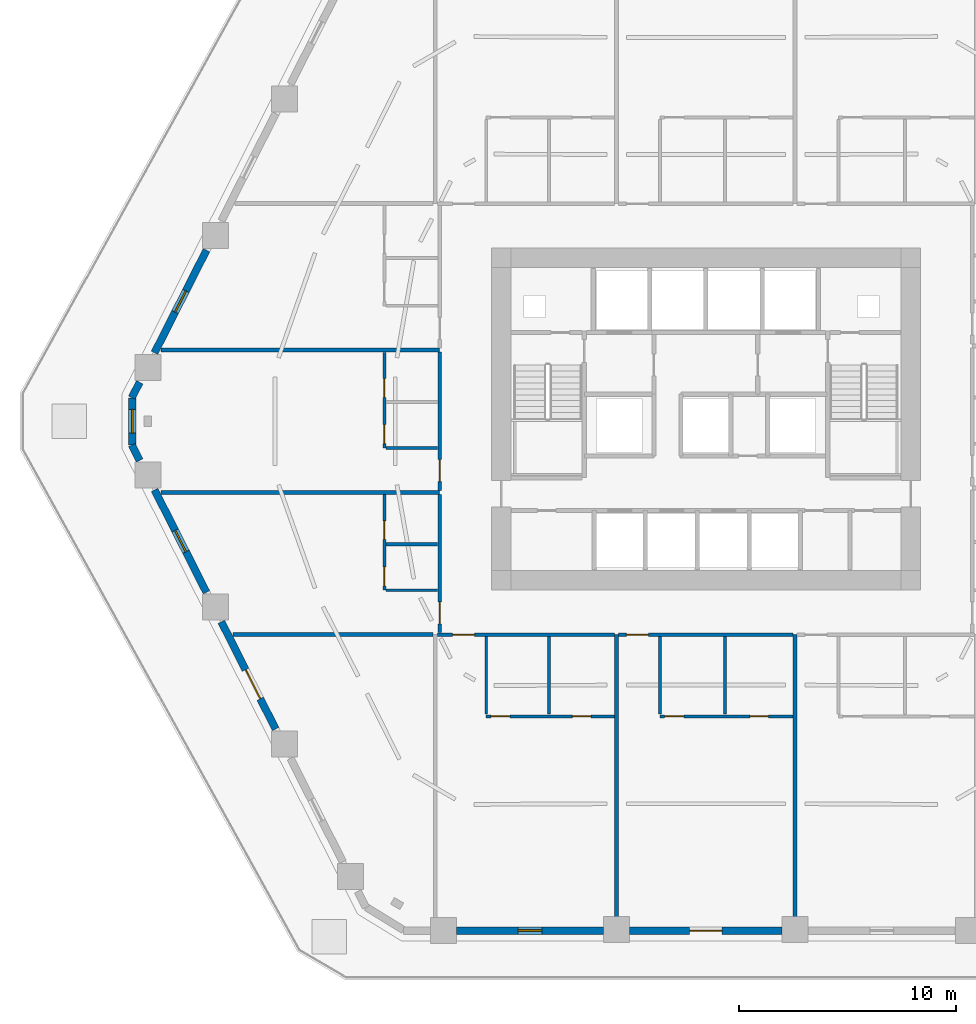
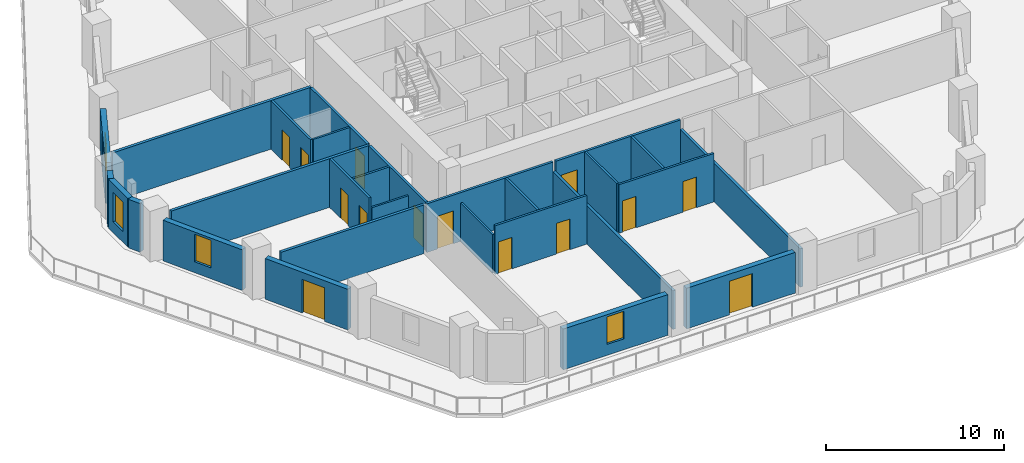
# One storey, part 3 of 10: 28 walls, 14 doors, 4 windows, 18 openings.
"""IFC4 building model written with IfcOpenShell, lengths in metres."""

from ifc_helpers import new_model, si_unit, direction, frame, frame_2d, origin, place, context, subcontext, project, spatial, rectangle, extrude, material, layer, layer_set, type_object, element, fill, save


model = new_model("IFC4")

# Units and contexts
model_context = context("Model", 3, precision=1e-05, world=origin(), true_north=direction((0.0, 1.0)))
body_context = subcontext(model_context, "Body", "Model", "MODEL_VIEW")
ifc_project = project(units=[si_unit("LENGTHUNIT", "METRE"), si_unit("AREAUNIT", "SQUARE_METRE"), si_unit("VOLUMEUNIT", "CUBIC_METRE"), si_unit("PLANEANGLEUNIT", "RADIAN"), si_unit("MASSUNIT", "GRAM", prefix="KILO")], contexts=[model_context])

# Site, building, storey
site_placement = place(None, origin())
site = spatial("IfcSite", under=ifc_project, at=site_placement, CompositionType="ELEMENT")
building_placement = place(site_placement, origin())
building = spatial("IfcBuilding", under=site, at=building_placement, Name="Cinnabar Lancet Tower", CompositionType="ELEMENT")
storey_placement = place(building_placement, frame((0.0, 0.0, 24.89990234375)))
storey = spatial("IfcBuildingStorey", under=building, at=storey_placement, Name="L05", CompositionType="ELEMENT", Elevation=24.89990234375)

# Wall, opening, door
ifc_material_1 = material(Name="Acoustic twin-stud gypsum partition", Category="gypsum")
ifc_layer_1 = layer(ifc_material_1, 0.159912109375)
ifc_layer_set_1 = layer_set([ifc_layer_1], Name="Acoustic twin-stud gypsum partition")
wall_type_1 = type_object("IfcWallType", Name="ARC-WL-CORR-160", PredefinedType="PARTITIONING", material=ifc_layer_set_1)
wall_1_placement = place(storey_placement, frame((19.9951171875, 15.949951171875, 0.0), z_axis=(0.0, 0.0, 1.0), x_axis=(1.0, 0.0, 0.0)))
wall_1 = element("IfcWall", 1, at=wall_1_placement, inside=storey, type_object=wall_type_1, Name="L05 Unit S01 Corridor Wall", PredefinedType="PARTITIONING", context=body_context, shape_type="SweptSolid", body=[
    extrude(rectangle(XDim=8.18798828125, YDim=0.159912109375, at=frame_2d((4.093994140625, 0.0))), origin(), (0.0, 0.0, 1.0), 3.330078125),
])
opening_1_placement = place(wall_1_placement, frame((0.705078125, 0.0, 0.0)))
opening_1 = element("IfcOpeningElement", 2, at=opening_1_placement, cuts=wall_1, Name="Opening UD-01", PredefinedType="OPENING", context=body_context, shape_type="SweptSolid", body=[
    extrude(rectangle(XDim=1.02001953125, YDim=2.25, at=frame_2d((0.510009765625, 1.125))), frame((0.0, 0.08984375, 0.0), z_axis=(0.0, -1.0, 0.0), x_axis=(1.0, 0.0, 0.0)), (0.0, 0.0, 1.0), 0.179931640625),
])
ifc_material_2 = material(Name="Solid timber fire-rated apartment entrance door", Category="wood")
door_type_1 = type_object("IfcDoorType", Name="ARC-DR-UNIT", OperationType="NOTDEFINED", PredefinedType="DOOR", material=ifc_material_2)
door_1_placement = place(opening_1_placement, origin())
door_1 = element("IfcDoor", 3, at=door_1_placement, inside=storey, type_object=door_type_1, Name="DR-L05-S01-ENT", OperationType="SINGLE_SWING_LEFT", OverallHeight=2.25, OverallWidth=1.02001953125, PredefinedType="DOOR", context=body_context, shape_type="SweptSolid", body=[
    extrude(rectangle(XDim=1.02001953125, YDim=2.25, at=frame_2d((0.510009765625, 1.125))), frame((0.0, 0.02490234375, 0.0), z_axis=(0.0, -1.0, 0.0), x_axis=(1.0, 0.0, 0.0)), (0.0, 0.0, 1.0), 0.050048828125),
])
fill(opening_1, door_1)

wall_2_placement = place(storey_placement, frame((28.373046875, 15.949951171875, 0.0), z_axis=(0.0, 0.0, 1.0), x_axis=(1.0, 0.0, 0.0)))
wall_2 = element("IfcWall", 4, at=wall_2_placement, inside=storey, type_object=wall_type_1, Name="L05 Unit S02 Corridor Wall", PredefinedType="PARTITIONING", context=body_context, shape_type="SweptSolid", body=[
    extrude(rectangle(XDim=8.053955078125, YDim=0.159912109375, at=frame_2d((4.02685546875, 0.0))), origin(), (0.0, 0.0, 1.0), 3.330078125),
])
opening_2_placement = place(wall_2_placement, frame((0.35498046875, 0.0, 0.0)))
opening_2 = element("IfcOpeningElement", 5, at=opening_2_placement, cuts=wall_2, Name="Opening UD-01", PredefinedType="OPENING", context=body_context, shape_type="SweptSolid", body=[
    extrude(rectangle(XDim=1.02001953125, YDim=2.25, at=frame_2d((0.510009765625, 1.125))), frame((0.0, 0.08984375, 0.0), z_axis=(0.0, -1.0, 0.0), x_axis=(1.0, 0.0, 0.0)), (0.0, 0.0, 1.0), 0.179931640625),
])
door_2_placement = place(opening_2_placement, origin())
door_2 = element("IfcDoor", 6, at=door_2_placement, inside=storey, type_object=door_type_1, Name="DR-L05-S02-ENT", OperationType="SINGLE_SWING_RIGHT", OverallHeight=2.25, OverallWidth=1.02001953125, PredefinedType="DOOR", context=body_context, shape_type="SweptSolid", body=[
    extrude(rectangle(XDim=1.02001953125, YDim=2.25, at=frame_2d((0.510009765625, 1.125))), frame((0.0, 0.02490234375, 0.0), z_axis=(0.0, -1.0, 0.0), x_axis=(1.0, 0.0, 0.0)), (0.0, 0.0, 1.0), 0.050048828125),
])
fill(opening_2, door_2)

wall_3_placement = place(storey_placement, frame((20.10009765625, 16.044921875, 0.0), z_axis=(0.0, 0.0, 1.0), x_axis=(0.0, 1.0, 0.0)))
wall_3 = element("IfcWall", 7, at=wall_3_placement, inside=storey, type_object=wall_type_1, Name="UW-L05-W01-COR", PredefinedType="PARTITIONING", context=body_context, shape_type="SweptSolid", body=[
    extrude(rectangle(XDim=6.377197265625, YDim=0.159912109375, at=frame_2d((3.1884765625, 0.0))), origin(), (0.0, 0.0, 1.0), 3.330078125),
])
opening_3_placement = place(wall_3_placement, frame((0.39990234375, 0.0, 0.0)))
opening_3 = element("IfcOpeningElement", 8, at=opening_3_placement, cuts=wall_3, Name="Opening UD-01", PredefinedType="OPENING", context=body_context, shape_type="SweptSolid", body=[
    extrude(rectangle(XDim=1.02001953125, YDim=2.25, at=frame_2d((0.510009765625, 1.125))), frame((0.0, 0.08984375, 0.0), z_axis=(0.0, -1.0, 0.0), x_axis=(1.0, 0.0, 0.0)), (0.0, 0.0, 1.0), 0.179931640625),
])
door_3_placement = place(opening_3_placement, origin())
door_3 = element("IfcDoor", 9, at=door_3_placement, inside=storey, type_object=door_type_1, Name="DR-L05-W01-ENT", OperationType="SINGLE_SWING_LEFT", OverallHeight=2.25, OverallWidth=1.02001953125, PredefinedType="DOOR", context=body_context, shape_type="SweptSolid", body=[
    extrude(rectangle(XDim=1.02001953125, YDim=2.25, at=frame_2d((0.510009765625, 1.125))), frame((0.0, 0.02490234375, 0.0), z_axis=(0.0, -1.0, 0.0), x_axis=(1.0, 0.0, 0.0)), (0.0, 0.0, 1.0), 0.050048828125),
])
fill(opening_3, door_3)

wall_4_placement = place(storey_placement, frame((20.10009765625, 22.612060546875, 0.0), z_axis=(0.0, 0.0, 1.0), x_axis=(0.0, 1.0, 0.0)))
wall_4 = element("IfcWall", 10, at=wall_4_placement, inside=storey, type_object=wall_type_1, Name="UW-L05-W02-COR", PredefinedType="PARTITIONING", context=body_context, shape_type="SweptSolid", body=[
    extrude(rectangle(XDim=6.376953125, YDim=0.159912109375, at=frame_2d((3.1884765625, 0.0))), origin(), (0.0, 0.0, 1.0), 3.330078125),
])
opening_4_placement = place(wall_4_placement, frame((0.39990234375, 0.0, 0.0)))
opening_4 = element("IfcOpeningElement", 11, at=opening_4_placement, cuts=wall_4, Name="Opening UD-01", PredefinedType="OPENING", context=body_context, shape_type="SweptSolid", body=[
    extrude(rectangle(XDim=1.02001953125, YDim=2.25, at=frame_2d((0.510009765625, 1.125))), frame((0.0, 0.08984375, 0.0), z_axis=(0.0, -1.0, 0.0), x_axis=(1.0, 0.0, 0.0)), (0.0, 0.0, 1.0), 0.179931640625),
])
door_4_placement = place(opening_4_placement, origin())
door_4 = element("IfcDoor", 12, at=door_4_placement, inside=storey, type_object=door_type_1, Name="DR-L05-W02-ENT", OperationType="SINGLE_SWING_RIGHT", OverallHeight=2.25, OverallWidth=1.02001953125, PredefinedType="DOOR", context=body_context, shape_type="SweptSolid", body=[
    extrude(rectangle(XDim=1.02001953125, YDim=2.25, at=frame_2d((0.510009765625, 1.125))), frame((0.0, 0.02490234375, 0.0), z_axis=(0.0, -1.0, 0.0), x_axis=(1.0, 0.0, 0.0)), (0.0, 0.0, 1.0), 0.050048828125),
])
fill(opening_4, door_4)

# Walls
ifc_material_3 = material(Name="Fire-rated twin-frame acoustic drywall", Category="gypsum")
ifc_layer_2 = layer(ifc_material_3, 0.179931640625)
ifc_layer_set_2 = layer_set([ifc_layer_2], Name="Fire-rated twin-frame acoustic drywall")
wall_type_2 = type_object("IfcWallType", Name="ARC-WL-PARTY-180", PredefinedType="PARTITIONING", material=ifc_layer_set_2)
for number, where, z_axis, x_axis, name in (
    (13, (28.278076171875, 2.455078125, 0.0), (0.0, 0.0, 1.0), (0.0, 1.0, 0.0), "PW-L05-SPTY-283"),
    (14, (36.52197265625, 2.455078125, 0.0), (0.0, 0.0, 1.0), (0.0, 1.0, 0.0), "PW-L05-SPTY-365"),
):
    element("IfcWall", number, at=place(storey_placement, frame(where, z_axis=z_axis, x_axis=x_axis)), inside=storey, type_object=wall_type_2, Name=name, PredefinedType="PARTITIONING", context=body_context, shape_type="SweptSolid", body=[
        extrude(rectangle(XDim=13.494873046875, YDim=0.179931640625, at=frame_2d((6.74755859375, 0.0))), origin(), (0.0, 0.0, 1.0), 2.63720703125),
    ])
wall_5_placement = place(storey_placement, frame((10.56396484375, 15.949951171875, 0.0), z_axis=(0.0, 0.0, 1.0), x_axis=(1.0, 0.0, 0.0)))
element("IfcWall", 15, at=wall_5_placement, inside=storey, type_object=wall_type_2, Name="PW-L05-WSB", PredefinedType="PARTITIONING", context=body_context, shape_type="SweptSolid", body=[
    extrude(rectangle(XDim=9.240966796875, YDim=0.179931640625, at=frame_2d((4.62060546875, 0.0))), origin(), (0.0, 0.0, 1.0), 3.330078125),
])
for number, where, z_axis, x_axis, name in (
    (16, (7.240966796875, 22.51708984375, 0.0), (0.0, 0.0, 1.0), (1.0, 0.0, 0.0), "PW-L05-WPTY-1"),
    (17, (7.240966796875, 29.083984375, 0.0), (0.0, 0.0, 1.0), (1.0, 0.0, 0.0), "PW-L05-WPTY-2"),
):
    element("IfcWall", number, at=place(storey_placement, frame(where, z_axis=z_axis, x_axis=x_axis)), inside=storey, type_object=wall_type_2, Name=name, PredefinedType="PARTITIONING", context=body_context, shape_type="SweptSolid", body=[
        extrude(rectangle(XDim=12.859130859375, YDim=0.179931640625, at=frame_2d((6.4296875, 0.0))), origin(), (0.0, 0.0, 1.0), 3.330078125),
    ])
ifc_material_4 = material(Name="Gypsum plasterboard stud partition", Category="gypsum")
ifc_layer_3 = layer(ifc_material_4, 0.125)
ifc_layer_set_3 = layer_set([ifc_layer_3], Name="Gypsum plasterboard stud partition")
wall_type_3 = type_object("IfcWallType", Name="ARC-WL-UNIT-125", PredefinedType="PARTITIONING", material=ifc_layer_set_3)
wall_6_placement = place(storey_placement, frame((22.25, 12.27587890625, 0.0), z_axis=(0.0, 0.0, 1.0), x_axis=(0.0, 1.0, 0.0)))
element("IfcWall", 18, at=wall_6_placement, inside=storey, type_object=wall_type_3, Name="UW-L05-S01-FOYE", PredefinedType="PARTITIONING", context=body_context, shape_type="SweptSolid", body=[
    extrude(rectangle(XDim=3.589111328125, YDim=0.125, at=frame_2d((1.79443359375, 0.0))), origin(), (0.0, 0.0, 1.0), 2.63720703125),
])
wall_7_placement = place(storey_placement, frame((30.278076171875, 12.27587890625, 0.0), z_axis=(0.0, 0.0, 1.0), x_axis=(0.0, 1.0, 0.0)))
element("IfcWall", 19, at=wall_7_placement, inside=storey, type_object=wall_type_3, Name="UW-L05-S02-FOYE", PredefinedType="PARTITIONING", context=body_context, shape_type="SweptSolid", body=[
    extrude(rectangle(XDim=3.589111328125, YDim=0.125, at=frame_2d((1.79443359375, 0.0))), origin(), (0.0, 0.0, 1.0), 3.330078125),
])
wall_8_placement = place(storey_placement, frame((17.635009765625, 18.0, 0.0), z_axis=(0.0, 0.0, 1.0), x_axis=(1.0, 0.0, 0.0)))
element("IfcWall", 20, at=wall_8_placement, inside=storey, type_object=wall_type_3, Name="UW-L05-W01-FOYN", PredefinedType="PARTITIONING", context=body_context, shape_type="SweptSolid", body=[
    extrude(rectangle(XDim=2.3798828125, YDim=0.125, at=frame_2d((1.18994140625, 0.0))), origin(), (0.0, 0.0, 1.0), 2.63720703125),
])
wall_9_placement = place(storey_placement, frame((17.635009765625, 24.56689453125, 0.0), z_axis=(0.0, 0.0, 1.0), x_axis=(1.0, 0.0, 0.0)))
element("IfcWall", 21, at=wall_9_placement, inside=storey, type_object=wall_type_3, Name="UW-L05-W02-FOYN", PredefinedType="PARTITIONING", context=body_context, shape_type="SweptSolid", body=[
    extrude(rectangle(XDim=2.3798828125, YDim=0.125, at=frame_2d((1.18994140625, 0.0))), origin(), (0.0, 0.0, 1.0), 3.330078125),
])

# Wall, openings, doors
ifc_material_5 = material(Name="Moisture-resistant cement-board plumbing wall", Category="masonry")
ifc_layer_4 = layer(ifc_material_5, 0.139892578125)
ifc_layer_set_4 = layer_set([ifc_layer_4], Name="Moisture-resistant cement-board plumbing wall")
wall_type_4 = type_object("IfcWallType", Name="ARC-WL-WET-140", PredefinedType="PLUMBINGWALL", material=ifc_layer_set_4)
wall_10_placement = place(storey_placement, frame((22.25, 12.1708984375, 0.0), z_axis=(0.0, 0.0, 1.0), x_axis=(1.0, 0.0, 0.0)))
wall_10 = element("IfcWall", 22, at=wall_10_placement, inside=storey, type_object=wall_type_4, Name="UW-L05-S01-SPL", PredefinedType="PLUMBINGWALL", context=body_context, shape_type="SweptSolid", body=[
    extrude(rectangle(XDim=5.93310546875, YDim=0.139892578125, at=frame_2d((2.966552734375, 0.0))), origin(), (0.0, 0.0, 1.0), 3.330078125),
])
opening_5_placement = place(wall_10_placement, frame((3.988037109375, 0.0, 0.0)))
opening_5 = element("IfcOpeningElement", 23, at=opening_5_placement, cuts=wall_10, Name="Opening BD-01", PredefinedType="OPENING", context=body_context, shape_type="SweptSolid", body=[
    extrude(rectangle(XDim=0.860107421875, YDim=2.10009765625, at=frame_2d((0.43017578125, 1.050048828125))), frame((0.0, 0.079833984375, 0.0), z_axis=(0.0, -1.0, 0.0), x_axis=(1.0, 0.0, 0.0)), (0.0, 0.0, 1.0), 0.159912109375),
])
opening_6_placement = place(wall_10_placement, frame((0.219970703125, 0.0, 0.0)))
opening_6 = element("IfcOpeningElement", 24, at=opening_6_placement, cuts=wall_10, Name="Opening RD-02", PredefinedType="OPENING", context=body_context, shape_type="SweptSolid", body=[
    extrude(rectangle(XDim=0.8798828125, YDim=2.14990234375, at=frame_2d((0.43994140625, 1.074951171875))), frame((0.0, 0.079833984375, 0.0), z_axis=(0.0, -1.0, 0.0), x_axis=(1.0, 0.0, 0.0)), (0.0, 0.0, 1.0), 0.159912109375),
])
ifc_material_6 = material(Name="Moisture-resistant timber bathroom door", Category="wood")
door_type_2 = type_object("IfcDoorType", Name="ARC-DR-BATH", OperationType="NOTDEFINED", PredefinedType="DOOR", material=ifc_material_6)
door_5_placement = place(opening_5_placement, origin())
door_5 = element("IfcDoor", 25, at=door_5_placement, inside=storey, type_object=door_type_2, Name="DR-L05-S01-BTH", OperationType="SINGLE_SWING_LEFT", OverallHeight=2.10009765625, OverallWidth=0.860107421875, PredefinedType="DOOR", context=body_context, shape_type="SweptSolid", body=[
    extrude(rectangle(XDim=0.860107421875, YDim=2.10009765625, at=frame_2d((0.43017578125, 1.050048828125))), frame((0.0, 0.02490234375, 0.0), z_axis=(0.0, -1.0, 0.0), x_axis=(1.0, 0.0, 0.0)), (0.0, 0.0, 1.0), 0.050048828125),
])
fill(opening_5, door_5)
ifc_material_7 = material(Name="Engineered timber study door", Category="wood")
door_type_3 = type_object("IfcDoorType", Name="ARC-DR-STUDY", OperationType="NOTDEFINED", PredefinedType="DOOR", material=ifc_material_7)
door_6_placement = place(opening_6_placement, origin())
door_6 = element("IfcDoor", 26, at=door_6_placement, inside=storey, type_object=door_type_3, Name="DR-L05-S01-KIT", OperationType="SINGLE_SWING_RIGHT", OverallHeight=2.14990234375, OverallWidth=0.8798828125, PredefinedType="DOOR", context=body_context, shape_type="SweptSolid", body=[
    extrude(rectangle(XDim=0.8798828125, YDim=2.14990234375, at=frame_2d((0.43994140625, 1.074951171875))), frame((0.0, 0.02490234375, 0.0), z_axis=(0.0, -1.0, 0.0), x_axis=(1.0, 0.0, 0.0)), (0.0, 0.0, 1.0), 0.050048828125),
])
fill(opening_6, door_6)

# Wall
wall_11_placement = place(storey_placement, frame((25.14306640625, 12.27587890625, 0.0), z_axis=(0.0, 0.0, 1.0), x_axis=(0.0, 1.0, 0.0)))
element("IfcWall", 27, at=wall_11_placement, inside=storey, type_object=wall_type_4, Name="UW-L05-S01-KDV", PredefinedType="PLUMBINGWALL", context=body_context, shape_type="SweptSolid", body=[
    extrude(rectangle(XDim=3.589111328125, YDim=0.139892578125, at=frame_2d((1.79443359375, 0.0))), origin(), (0.0, 0.0, 1.0), 3.330078125),
])

# Wall, openings, doors
wall_12_placement = place(storey_placement, frame((30.278076171875, 12.1708984375, 0.0), z_axis=(0.0, 0.0, 1.0), x_axis=(1.0, 0.0, 0.0)))
wall_12 = element("IfcWall", 28, at=wall_12_placement, inside=storey, type_object=wall_type_4, Name="UW-L05-S02-SPL", PredefinedType="PLUMBINGWALL", context=body_context, shape_type="SweptSolid", body=[
    extrude(rectangle(XDim=6.14892578125, YDim=0.139892578125, at=frame_2d((3.074462890625, 0.0))), origin(), (0.0, 0.0, 1.0), 3.330078125),
])
opening_7_placement = place(wall_12_placement, frame((4.14794921875, 0.0, 0.0)))
opening_7 = element("IfcOpeningElement", 29, at=opening_7_placement, cuts=wall_12, Name="Opening BD-01", PredefinedType="OPENING", context=body_context, shape_type="SweptSolid", body=[
    extrude(rectangle(XDim=0.860107421875, YDim=2.10009765625, at=frame_2d((0.43017578125, 1.050048828125))), frame((0.0, 0.079833984375, 0.0), z_axis=(0.0, -1.0, 0.0), x_axis=(1.0, 0.0, 0.0)), (0.0, 0.0, 1.0), 0.159912109375),
])
opening_8_placement = place(wall_12_placement, frame((0.219970703125, 0.0, 0.0)))
opening_8 = element("IfcOpeningElement", 30, at=opening_8_placement, cuts=wall_12, Name="Opening RD-02", PredefinedType="OPENING", context=body_context, shape_type="SweptSolid", body=[
    extrude(rectangle(XDim=0.8798828125, YDim=2.14990234375, at=frame_2d((0.43994140625, 1.074951171875))), frame((0.0, 0.079833984375, 0.0), z_axis=(0.0, -1.0, 0.0), x_axis=(1.0, 0.0, 0.0)), (0.0, 0.0, 1.0), 0.159912109375),
])
door_7_placement = place(opening_7_placement, origin())
door_7 = element("IfcDoor", 31, at=door_7_placement, inside=storey, type_object=door_type_2, Name="DR-L05-S02-BTH", OperationType="SINGLE_SWING_RIGHT", OverallHeight=2.10009765625, OverallWidth=0.860107421875, PredefinedType="DOOR", context=body_context, shape_type="SweptSolid", body=[
    extrude(rectangle(XDim=0.860107421875, YDim=2.10009765625, at=frame_2d((0.43017578125, 1.050048828125))), frame((0.0, 0.02490234375, 0.0), z_axis=(0.0, -1.0, 0.0), x_axis=(1.0, 0.0, 0.0)), (0.0, 0.0, 1.0), 0.050048828125),
])
fill(opening_7, door_7)
door_8_placement = place(opening_8_placement, origin())
door_8 = element("IfcDoor", 32, at=door_8_placement, inside=storey, type_object=door_type_3, Name="DR-L05-S02-KIT", OperationType="SINGLE_SWING_LEFT", OverallHeight=2.14990234375, OverallWidth=0.8798828125, PredefinedType="DOOR", context=body_context, shape_type="SweptSolid", body=[
    extrude(rectangle(XDim=0.8798828125, YDim=2.14990234375, at=frame_2d((0.43994140625, 1.074951171875))), frame((0.0, 0.02490234375, 0.0), z_axis=(0.0, -1.0, 0.0), x_axis=(1.0, 0.0, 0.0)), (0.0, 0.0, 1.0), 0.050048828125),
])
fill(opening_8, door_8)

# Wall
wall_13_placement = place(storey_placement, frame((33.27490234375, 12.27587890625, 0.0), z_axis=(0.0, 0.0, 1.0), x_axis=(0.0, 1.0, 0.0)))
element("IfcWall", 33, at=wall_13_placement, inside=storey, type_object=wall_type_4, Name="UW-L05-S02-KDV", PredefinedType="PLUMBINGWALL", context=body_context, shape_type="SweptSolid", body=[
    extrude(rectangle(XDim=3.589111328125, YDim=0.139892578125, at=frame_2d((1.79443359375, 0.0))), origin(), (0.0, 0.0, 1.0), 3.330078125),
])

# Wall, openings, doors
wall_14_placement = place(storey_placement, frame((17.550048828125, 18.0, 0.0), z_axis=(0.0, 0.0, 1.0), x_axis=(0.0, 1.0, 0.0)))
wall_14 = element("IfcWall", 34, at=wall_14_placement, inside=storey, type_object=wall_type_4, Name="UW-L05-W01-SPL", PredefinedType="PLUMBINGWALL", context=body_context, shape_type="SweptSolid", body=[
    extrude(rectangle(XDim=4.422119140625, YDim=0.139892578125, at=frame_2d((2.2109375, 0.0))), origin(), (0.0, 0.0, 1.0), 3.330078125),
])
opening_9_placement = place(wall_14_placement, frame((2.343017578125, 0.0, 0.0)))
opening_9 = element("IfcOpeningElement", 35, at=opening_9_placement, cuts=wall_14, Name="Opening BD-01", PredefinedType="OPENING", context=body_context, shape_type="SweptSolid", body=[
    extrude(rectangle(XDim=0.860107421875, YDim=2.10009765625, at=frame_2d((0.43017578125, 1.050048828125))), frame((0.0, 0.079833984375, 0.0), z_axis=(0.0, -1.0, 0.0), x_axis=(1.0, 0.0, 0.0)), (0.0, 0.0, 1.0), 0.159912109375),
])
opening_10_placement = place(wall_14_placement, frame((0.199951171875, 0.0, 0.0)))
opening_10 = element("IfcOpeningElement", 36, at=opening_10_placement, cuts=wall_14, Name="Opening RD-02", PredefinedType="OPENING", context=body_context, shape_type="SweptSolid", body=[
    extrude(rectangle(XDim=0.8798828125, YDim=2.14990234375, at=frame_2d((0.43994140625, 1.074951171875))), frame((0.0, 0.079833984375, 0.0), z_axis=(0.0, -1.0, 0.0), x_axis=(1.0, 0.0, 0.0)), (0.0, 0.0, 1.0), 0.159912109375),
])
door_9_placement = place(opening_9_placement, origin())
door_9 = element("IfcDoor", 37, at=door_9_placement, inside=storey, type_object=door_type_2, Name="DR-L05-W01-BTH", OperationType="SINGLE_SWING_LEFT", OverallHeight=2.10009765625, OverallWidth=0.860107421875, PredefinedType="DOOR", context=body_context, shape_type="SweptSolid", body=[
    extrude(rectangle(XDim=0.860107421875, YDim=2.10009765625, at=frame_2d((0.43017578125, 1.050048828125))), frame((0.0, 0.02490234375, 0.0), z_axis=(0.0, -1.0, 0.0), x_axis=(1.0, 0.0, 0.0)), (0.0, 0.0, 1.0), 0.050048828125),
])
fill(opening_9, door_9)
door_10_placement = place(opening_10_placement, origin())
door_10 = element("IfcDoor", 38, at=door_10_placement, inside=storey, type_object=door_type_3, Name="DR-L05-W01-KIT", OperationType="SINGLE_SWING_RIGHT", OverallHeight=2.14990234375, OverallWidth=0.8798828125, PredefinedType="DOOR", context=body_context, shape_type="SweptSolid", body=[
    extrude(rectangle(XDim=0.8798828125, YDim=2.14990234375, at=frame_2d((0.43994140625, 1.074951171875))), frame((0.0, 0.02490234375, 0.0), z_axis=(0.0, -1.0, 0.0), x_axis=(1.0, 0.0, 0.0)), (0.0, 0.0, 1.0), 0.050048828125),
])
fill(opening_10, door_10)

# Wall
wall_15_placement = place(storey_placement, frame((17.635009765625, 20.123046875, 0.0), z_axis=(0.0, 0.0, 1.0), x_axis=(1.0, 0.0, 0.0)))
element("IfcWall", 39, at=wall_15_placement, inside=storey, type_object=wall_type_4, Name="UW-L05-W01-KDV", PredefinedType="PLUMBINGWALL", context=body_context, shape_type="SweptSolid", body=[
    extrude(rectangle(XDim=2.3798828125, YDim=0.139892578125, at=frame_2d((1.18994140625, 0.0))), origin(), (0.0, 0.0, 1.0), 3.330078125),
])

# Wall, openings, doors
wall_16_placement = place(storey_placement, frame((17.550048828125, 24.56689453125, 0.0), z_axis=(0.0, 0.0, 1.0), x_axis=(0.0, 1.0, 0.0)))
wall_16 = element("IfcWall", 40, at=wall_16_placement, inside=storey, type_object=wall_type_4, Name="UW-L05-W02-SPL", PredefinedType="PLUMBINGWALL", context=body_context, shape_type="SweptSolid", body=[
    extrude(rectangle(XDim=4.422119140625, YDim=0.139892578125, at=frame_2d((2.2109375, 0.0))), origin(), (0.0, 0.0, 1.0), 3.330078125),
])
opening_11_placement = place(wall_16_placement, frame((2.343017578125, 0.0, 0.0)))
opening_11 = element("IfcOpeningElement", 41, at=opening_11_placement, cuts=wall_16, Name="Opening BD-01", PredefinedType="OPENING", context=body_context, shape_type="SweptSolid", body=[
    extrude(rectangle(XDim=0.860107421875, YDim=2.10009765625, at=frame_2d((0.43017578125, 1.050048828125))), frame((0.0, 0.079833984375, 0.0), z_axis=(0.0, -1.0, 0.0), x_axis=(1.0, 0.0, 0.0)), (0.0, 0.0, 1.0), 0.159912109375),
])
opening_12_placement = place(wall_16_placement, frame((0.199951171875, 0.0, 0.0)))
opening_12 = element("IfcOpeningElement", 42, at=opening_12_placement, cuts=wall_16, Name="Opening RD-02", PredefinedType="OPENING", context=body_context, shape_type="SweptSolid", body=[
    extrude(rectangle(XDim=0.8798828125, YDim=2.14990234375, at=frame_2d((0.43994140625, 1.074951171875))), frame((0.0, 0.079833984375, 0.0), z_axis=(0.0, -1.0, 0.0), x_axis=(1.0, 0.0, 0.0)), (0.0, 0.0, 1.0), 0.159912109375),
])
door_11_placement = place(opening_11_placement, origin())
door_11 = element("IfcDoor", 43, at=door_11_placement, inside=storey, type_object=door_type_2, Name="DR-L05-W02-BTH", OperationType="SINGLE_SWING_RIGHT", OverallHeight=2.10009765625, OverallWidth=0.860107421875, PredefinedType="DOOR", context=body_context, shape_type="SweptSolid", body=[
    extrude(rectangle(XDim=0.860107421875, YDim=2.10009765625, at=frame_2d((0.43017578125, 1.050048828125))), frame((0.0, 0.02490234375, 0.0), z_axis=(0.0, -1.0, 0.0), x_axis=(1.0, 0.0, 0.0)), (0.0, 0.0, 1.0), 0.050048828125),
])
fill(opening_11, door_11)
door_12_placement = place(opening_12_placement, origin())
door_12 = element("IfcDoor", 44, at=door_12_placement, inside=storey, type_object=door_type_3, Name="DR-L05-W02-KIT", OperationType="SINGLE_SWING_LEFT", OverallHeight=2.14990234375, OverallWidth=0.8798828125, PredefinedType="DOOR", context=body_context, shape_type="SweptSolid", body=[
    extrude(rectangle(XDim=0.8798828125, YDim=2.14990234375, at=frame_2d((0.43994140625, 1.074951171875))), frame((0.0, 0.02490234375, 0.0), z_axis=(0.0, -1.0, 0.0), x_axis=(1.0, 0.0, 0.0)), (0.0, 0.0, 1.0), 0.050048828125),
])
fill(opening_12, door_12)

# Wall, opening, window
ifc_material_8 = material(Name="Cinnabar red clay brick", Category="masonry")
ifc_layer_5 = layer(ifc_material_8, 0.340087890625)
ifc_layer_set_5 = layer_set([ifc_layer_5], Name="Cinnabar red clay brick")
wall_type_5 = type_object("IfcWallType", Name="ENV-WL-BRK-RED-340", PredefinedType="STANDARD", material=ifc_layer_set_5)
wall_17_placement = place(storey_placement, frame((5.912109375, 26.885986328125, 0.0), z_axis=(0.0, 0.0, 1.0), x_axis=(0.0, -1.0, 0.0)))
wall_17 = element("IfcWall", 45, at=wall_17_placement, inside=storey, type_object=wall_type_5, Name="L05 Chamfered Corner Brick Pier 6.1", PredefinedType="STANDARD", context=body_context, shape_type="SweptSolid", body=[
    extrude(rectangle(XDim=2.171875, YDim=0.340087890625, at=frame_2d((1.0859375, 0.0))), origin(), (0.0, 0.0, 1.0), 3.330078125),
])
opening_13_placement = place(wall_17_placement, frame((0.535888671875, 0.0, 0.75)))
opening_13 = element("IfcOpeningElement", 46, at=opening_13_placement, cuts=wall_17, Name="Opening WN-04", PredefinedType="OPENING", context=body_context, shape_type="SweptSolid", body=[
    extrude(rectangle(XDim=1.10009765625, YDim=2.0, at=frame_2d((0.550048828125, 1.0))), frame((0.0, 0.179931640625, 0.0), z_axis=(0.0, -1.0, 0.0), x_axis=(1.0, 0.0, 0.0)), (0.0, 0.0, 1.0), 0.360107421875),
])
ifc_material_9 = material(Name="Thermally broken bronze-anodized aluminium tall lancet window", Category="aluminium")
window_type = type_object("IfcWindowType", Name="ENV-WN-LANCET-1100", PartitioningType="SINGLE_PANEL", PredefinedType="WINDOW", material=ifc_material_9)
window_1_placement = place(opening_13_placement, origin())
window_1 = element("IfcWindow", 47, at=window_1_placement, inside=storey, type_object=window_type, Name="L05 Dwelling Gothic Lancet Window 294", OverallHeight=2.0, OverallWidth=1.10009765625, PartitioningType="SINGLE_PANEL", PredefinedType="WINDOW", context=body_context, shape_type="SweptSolid", body=[
    extrude(rectangle(XDim=1.10009765625, YDim=2.0, at=frame_2d((0.550048828125, 1.0))), frame((0.0, 0.030029296875, 0.0), z_axis=(0.0, -1.0, 0.0), x_axis=(1.0, 0.0, 0.0)), (0.0, 0.0, 1.0), 0.06005859375),
])
fill(opening_13, window_1)

wall_18_placement = place(storey_placement, frame((20.886962890625, 2.280029296875, 0.0), z_axis=(0.0, 0.0, 1.0), x_axis=(1.0, 0.0, 0.0)))
wall_18 = element("IfcWall", 48, at=wall_18_placement, inside=storey, type_object=wall_type_5, Name="L05 Face 1 Masonry Bay Wall 2", PredefinedType="STANDARD", context=body_context, shape_type="SweptSolid", body=[
    extrude(rectangle(XDim=6.787109375, YDim=0.340087890625, at=frame_2d((3.3935546875, 0.0))), origin(), (0.0, 0.0, 1.0), 2.787109375),
])
opening_14_placement = place(wall_18_placement, frame((2.843017578125, 0.0, 0.75)))
opening_14 = element("IfcOpeningElement", 49, at=opening_14_placement, cuts=wall_18, Name="Opening WN-04", PredefinedType="OPENING", context=body_context, shape_type="SweptSolid", body=[
    extrude(rectangle(XDim=1.10009765625, YDim=1.886962890625, at=frame_2d((0.550048828125, 0.943359375))), frame((0.0, 0.179931640625, 0.0), z_axis=(0.0, -1.0, 0.0), x_axis=(1.0, 0.0, 0.0)), (0.0, 0.0, 1.0), 0.360107421875),
])
window_2_placement = place(opening_14_placement, origin())
window_2 = element("IfcWindow", 50, at=window_2_placement, inside=storey, type_object=window_type, Name="L05 Face 1 Gothic Lancet Window 2", OverallHeight=1.886962890625, OverallWidth=1.10009765625, PartitioningType="SINGLE_PANEL", PredefinedType="WINDOW", context=body_context, shape_type="SweptSolid", body=[
    extrude(rectangle(XDim=1.10009765625, YDim=1.886962890625, at=frame_2d((0.550048828125, 0.943359375))), frame((0.0, 0.030029296875, 0.0), z_axis=(0.0, -1.0, 0.0), x_axis=(1.0, 0.0, 0.0)), (0.0, 0.0, 1.0), 0.06005859375),
])
fill(opening_14, window_2)

# Wall, opening, door
wall_19_placement = place(storey_placement, frame((28.882080078125, 2.280029296875, 0.0), z_axis=(0.0, 0.0, 1.0), x_axis=(1.0, 0.0, 0.0)))
wall_19 = element("IfcWall", 51, at=wall_19_placement, inside=storey, type_object=wall_type_5, Name="L05 Face 1 Masonry Bay Wall 3", PredefinedType="STANDARD", context=body_context, shape_type="SweptSolid", body=[
    extrude(rectangle(XDim=7.035888671875, YDim=0.340087890625, at=frame_2d((3.51806640625, 0.0))), origin(), (0.0, 0.0, 1.0), 2.787109375),
])
opening_15_placement = place(wall_19_placement, frame((2.76806640625, 0.0, 0.0)))
opening_15 = element("IfcOpeningElement", 52, at=opening_15_placement, cuts=wall_19, Name="Opening TD-02", PredefinedType="OPENING", context=body_context, shape_type="SweptSolid", body=[
    extrude(rectangle(XDim=1.5, YDim=2.300048828125, at=frame_2d((0.75, 1.14990234375))), frame((0.0, 0.179931640625, 0.0), z_axis=(0.0, -1.0, 0.0), x_axis=(1.0, 0.0, 0.0)), (0.0, 0.0, 1.0), 0.360107421875),
])
ifc_material_10 = material(Name="Thermally broken low-E glazed sky-terrace double door", Category="wood")
door_type_4 = type_object("IfcDoorType", Name="ARC-DR-STER", OperationType="NOTDEFINED", PredefinedType="DOOR", material=ifc_material_10)
door_13_placement = place(opening_15_placement, origin())
door_13 = element("IfcDoor", 53, at=door_13_placement, inside=storey, type_object=door_type_4, Name="L05 Face 1 Glazed Terrace Door", OperationType="SINGLE_SWING_RIGHT", OverallHeight=2.300048828125, OverallWidth=1.5, PredefinedType="DOOR", context=body_context, shape_type="SweptSolid", body=[
    extrude(rectangle(XDim=1.5, YDim=2.300048828125, at=frame_2d((0.75, 1.14990234375))), frame((0.0, 0.02490234375, 0.0), z_axis=(0.0, -1.0, 0.0), x_axis=(1.0, 0.0, 0.0)), (0.0, 0.0, 1.0), 0.050048828125),
])
fill(opening_15, door_13)

# Wall, opening, window
wall_20_placement = place(storey_placement, frame((9.3349609375, 33.698974609375, 0.0), z_axis=(0.0, 0.0, 1.0), x_axis=(-0.451590635984, -0.892225250422, 0.0)))
wall_20 = element("IfcWall", 54, at=wall_20_placement, inside=storey, type_object=wall_type_5, Name="L05 Face 5 Masonry Bay Wall 4", PredefinedType="STANDARD", context=body_context, shape_type="SweptSolid", body=[
    extrude(rectangle(XDim=5.303466796875, YDim=0.340087890625, at=frame_2d((2.65185546875, 0.0))), origin(), (0.0, 0.0, 1.0), 2.787109375),
])
opening_16_placement = place(wall_20_placement, frame((2.10205078125, 0.0, 0.75)))
opening_16 = element("IfcOpeningElement", 55, at=opening_16_placement, cuts=wall_20, Name="Opening WN-04", PredefinedType="OPENING", context=body_context, shape_type="SweptSolid", body=[
    extrude(rectangle(XDim=1.10009765625, YDim=1.886962890625, at=frame_2d((0.550048828125, 0.943359375))), frame((0.0, 0.179931640625, 0.0), z_axis=(0.0, -1.0, 0.0), x_axis=(1.0, 0.0, 0.0)), (0.0, 0.0, 1.0), 0.360107421875),
])
window_3_placement = place(opening_16_placement, origin())
window_3 = element("IfcWindow", 56, at=window_3_placement, inside=storey, type_object=window_type, Name="L05 Face 5 Gothic Lancet Window 4", OverallHeight=1.886962890625, OverallWidth=1.10009765625, PartitioningType="SINGLE_PANEL", PredefinedType="WINDOW", context=body_context, shape_type="SweptSolid", body=[
    extrude(rectangle(XDim=1.10009765625, YDim=1.886962890625, at=frame_2d((0.550048828125, 0.943359375))), frame((0.0, 0.030029296875, 0.0), z_axis=(0.0, -1.0, 0.0), x_axis=(1.0, 0.0, 0.0)), (0.0, 0.0, 1.0), 0.06005859375),
])
fill(opening_16, window_3)

# Walls
for number, where, z_axis, x_axis, name in (
    (57, (6.251953125, 27.60498046875, 0.0), (0.0, 0.0, 1.0), (-0.452101093511, -0.891966704113, 0.0), "L05 Face 5 Masonry Bay Wall 5"),
    (58, (5.89111328125, 24.70703125, 0.0), (0.0, 0.0, 1.0), (0.452101093511, -0.891966704113, 0.0), "L05 Face 6 Masonry Bay Wall 1"),
):
    element("IfcWall", number, at=place(storey_placement, frame(where, z_axis=z_axis, x_axis=x_axis)), inside=storey, type_object=wall_type_5, Name=name, PredefinedType="STANDARD", context=body_context, shape_type="SweptSolid", body=[
        extrude(rectangle(XDim=0.798095703125, YDim=0.340087890625, at=frame_2d((0.39892578125, 0.0))), origin(), (0.0, 0.0, 1.0), 3.330078125),
    ])

# Wall, opening, window
wall_21_placement = place(storey_placement, frame((6.93994140625, 22.633056640625, 0.0), z_axis=(0.0, 0.0, 1.0), x_axis=(0.451572088722, -0.892234637686, 0.0)))
wall_21 = element("IfcWall", 59, at=wall_21_placement, inside=storey, type_object=wall_type_5, Name="L05 Face 6 Masonry Bay Wall 2", PredefinedType="STANDARD", context=body_context, shape_type="SweptSolid", body=[
    extrude(rectangle(XDim=5.3037109375, YDim=0.340087890625, at=frame_2d((2.65185546875, 0.0))), origin(), (0.0, 0.0, 1.0), 2.787109375),
])
opening_17_placement = place(wall_21_placement, frame((2.10205078125, 0.0, 0.75)))
opening_17 = element("IfcOpeningElement", 60, at=opening_17_placement, cuts=wall_21, Name="Opening WN-04", PredefinedType="OPENING", context=body_context, shape_type="SweptSolid", body=[
    extrude(rectangle(XDim=1.10009765625, YDim=1.886962890625, at=frame_2d((0.550048828125, 0.943359375))), frame((0.0, 0.179931640625, 0.0), z_axis=(0.0, -1.0, 0.0), x_axis=(1.0, 0.0, 0.0)), (0.0, 0.0, 1.0), 0.360107421875),
])
window_4_placement = place(opening_17_placement, origin())
window_4 = element("IfcWindow", 61, at=window_4_placement, inside=storey, type_object=window_type, Name="L05 Face 6 Gothic Lancet Window 2", OverallHeight=1.886962890625, OverallWidth=1.10009765625, PartitioningType="SINGLE_PANEL", PredefinedType="WINDOW", context=body_context, shape_type="SweptSolid", body=[
    extrude(rectangle(XDim=1.10009765625, YDim=1.886962890625, at=frame_2d((0.550048828125, 0.943359375))), frame((0.0, 0.030029296875, 0.0), z_axis=(0.0, -1.0, 0.0), x_axis=(1.0, 0.0, 0.0)), (0.0, 0.0, 1.0), 0.06005859375),
])
fill(opening_17, window_4)

# Wall, opening, door
wall_22_placement = place(storey_placement, frame((10.02392578125, 16.5390625, 0.0), z_axis=(0.0, 0.0, 1.0), x_axis=(0.451627137896, -0.892206774417, 0.0)))
wall_22 = element("IfcWall", 62, at=wall_22_placement, inside=storey, type_object=wall_type_5, Name="L05 Face 6 Masonry Bay Wall 3", PredefinedType="STANDARD", context=body_context, shape_type="SweptSolid", body=[
    extrude(rectangle(XDim=5.546875, YDim=0.340087890625, at=frame_2d((2.7734375, 0.0))), origin(), (0.0, 0.0, 1.0), 2.787109375),
])
opening_18_placement = place(wall_22_placement, frame((2.47900390625, 0.0, 0.0)))
opening_18 = element("IfcOpeningElement", 63, at=opening_18_placement, cuts=wall_22, Name="Opening TD-02", PredefinedType="OPENING", context=body_context, shape_type="SweptSolid", body=[
    extrude(rectangle(XDim=1.5, YDim=2.300048828125, at=frame_2d((0.75, 1.14990234375))), frame((0.0, 0.179931640625, 0.0), z_axis=(0.0, -1.0, 0.0), x_axis=(1.0, 0.0, 0.0)), (0.0, 0.0, 1.0), 0.360107421875),
])
door_14_placement = place(opening_18_placement, origin())
door_14 = element("IfcDoor", 64, at=door_14_placement, inside=storey, type_object=door_type_4, Name="L05 Face 6 Glazed Terrace Door", OperationType="SINGLE_SWING_LEFT", OverallHeight=2.300048828125, OverallWidth=1.5, PredefinedType="DOOR", context=body_context, shape_type="SweptSolid", body=[
    extrude(rectangle(XDim=1.5, YDim=2.300048828125, at=frame_2d((0.75, 1.14990234375))), frame((0.0, 0.02490234375, 0.0), z_axis=(0.0, -1.0, 0.0), x_axis=(1.0, 0.0, 0.0)), (0.0, 0.0, 1.0), 0.050048828125),
])
fill(opening_18, door_14)

save(model, "model.ifc")
